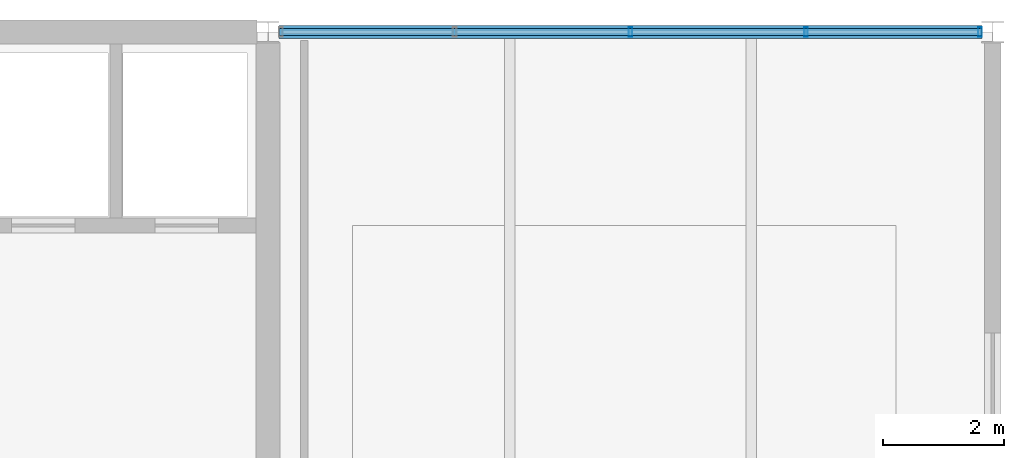
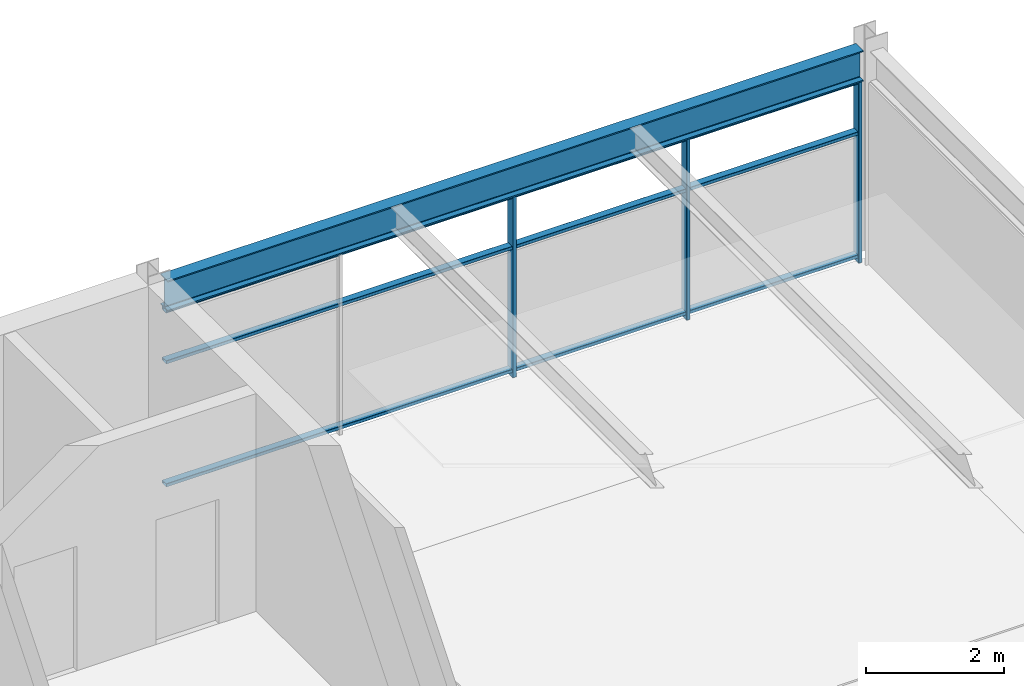
# One storey, part 33 of 40: 6 members, 1 beam, 1 element without a shape of its own.
"""IFC4 building model written with IfcOpenShell, lengths in metres."""

from ifc_helpers import new_model, si_unit, direction, frame, origin, origin_2d, place, context, subcontext, project, spatial, hollow_rectangle, i_section, extrude, material, material_profile, profile_set, type_object, element, aggregate, save


model = new_model("IFC4")

# Units and contexts
model_context = context("Model", 3, precision=1e-05, world=origin(), true_north=direction((0.0, 1.0)))
body_context = subcontext(model_context, "Body", "Model", "MODEL_VIEW")
ifc_project = project(units=[si_unit("LENGTHUNIT", "METRE"), si_unit("AREAUNIT", "SQUARE_METRE"), si_unit("VOLUMEUNIT", "CUBIC_METRE"), si_unit("PLANEANGLEUNIT", "RADIAN"), si_unit("MASSUNIT", "GRAM", prefix="KILO")], contexts=[model_context])

# Site, building, storey
site_placement = place(None, origin())
site = spatial("IfcSite", under=ifc_project, at=site_placement, CompositionType="ELEMENT")
building_placement = place(site_placement, origin())
building = spatial("IfcBuilding", under=site, at=building_placement, Name="Girod Span Mobility Hub", CompositionType="ELEMENT")
storey_placement = place(building_placement, frame((0.0, 0.0, 57.60009765625)))
storey = spatial("IfcBuildingStorey", under=building, at=storey_placement, Name="L14", CompositionType="ELEMENT", Elevation=57.60009765625)

# Beam
ifc_material_1 = material(Name="Steel A992 Grade 50", Category="steel")
ifc_material_profile_1 = material_profile(ifc_material_1, i_section(OverallWidth=0.2119140625, OverallDepth=0.5439453125, WebThickness=0.01318359375, FlangeThickness=0.021240234375, FilletRadius=0.014892578125, at=origin_2d()), Name="W21X83")
ifc_profile_set_1 = profile_set([ifc_material_profile_1], Name="Steel A992 Grade 50")
beam_type = type_object("IfcBeamType", Name="BM-STL-W21X83", PredefinedType="SPANDREL", material=ifc_profile_set_1)
beam_placement = place(storey_placement, frame((120.181396484375, 69.0, 3.48779296875), z_axis=(1.0, 0.0, 0.0), x_axis=(0.0, 1.0, 0.0)))
element("IfcBeam", 1, at=beam_placement, inside=storey, type_object=beam_type, Name="Girder 11-12/F L14", PredefinedType="SPANDREL", context=body_context, shape_type="SweptSolid", body=[
    extrude(i_section(OverallWidth=0.2119140625, OverallDepth=0.5439453125, WebThickness=0.01318359375, FlangeThickness=0.021240234375, FilletRadius=0.014892578125, at=origin_2d()), origin(), (0.0, 0.0, 1.0), 11.63720703125),
])

# Curtain wall, members
ifc_material_2 = material(Name="Thermally Broken Anodised Aluminium", Category="aluminium")
curtain_wall_type = type_object("IfcCurtainWallType", Name="CW-1164X322", PredefinedType="USERDEFINED", material=ifc_material_2)
curtain_wall_placement = place(storey_placement, origin())
curtain_wall = element("IfcCurtainWall", 2, at=curtain_wall_placement, inside=storey, type_object=curtain_wall_type, Name="Unitised Curtain Wall CW-L14-N11 L14", ObjectType="UNITISED CURTAIN WALL", PredefinedType="USERDEFINED")
ifc_material_3 = material(Name="Thermally Broken Anodised Aluminium", Category="aluminium")
ifc_material_profile_2 = material_profile(ifc_material_3, hollow_rectangle(XDim=0.159912109375, YDim=0.06005859375, WallThickness=0.00341796875, InnerFilletRadius=0.00341796875, OuterFilletRadius=0.007080078125, at=origin_2d()), Name="CW-ML-60X160")
ifc_profile_set_2 = profile_set([ifc_material_profile_2], Name="Thermally Broken Anodised Aluminium")
member_type_1 = type_object("IfcMemberType", Name="CWM-ML-3", PredefinedType="MULLION", material=ifc_profile_set_2)
member_1_placement = place(storey_placement, frame((126.0, 69.0, 0.0), z_axis=(0.0, 0.0, 1.0), x_axis=(0.0, 1.0, 0.0)))
member_1 = element("IfcMember", 3, at=member_1_placement, type_object=member_type_1, Name="Curtain Wall Mullion CW-L14-N11-M2", PredefinedType="MULLION", context=body_context, shape_type="SweptSolid", body=[
    extrude(hollow_rectangle(XDim=0.159912109375, YDim=0.06005859375, WallThickness=0.00341796875, InnerFilletRadius=0.00341796875, OuterFilletRadius=0.007080078125, at=origin_2d()), origin(), (0.0, 0.0, 1.0), 3.2158203125),
])
member_2_placement = place(storey_placement, frame((128.90869140625, 69.0, 0.0), z_axis=(0.0, 0.0, 1.0), x_axis=(0.0, 1.0, 0.0)))
member_2 = element("IfcMember", 4, at=member_2_placement, type_object=member_type_1, Name="Curtain Wall Mullion CW-L14-N11-M3", PredefinedType="MULLION", context=body_context, shape_type="SweptSolid", body=[
    extrude(hollow_rectangle(XDim=0.159912109375, YDim=0.06005859375, WallThickness=0.00341796875, InnerFilletRadius=0.00341796875, OuterFilletRadius=0.007080078125, at=origin_2d()), origin(), (0.0, 0.0, 1.0), 3.2158203125),
])
member_3_placement = place(storey_placement, frame((131.785400390625, 69.0, 0.0), z_axis=(0.0, 0.0, 1.0), x_axis=(0.0, 1.0, 0.0)))
member_3 = element("IfcMember", 5, at=member_3_placement, type_object=member_type_1, Name="Curtain Wall Mullion CW-L14-N11-M4", PredefinedType="MULLION", context=body_context, shape_type="SweptSolid", body=[
    extrude(hollow_rectangle(XDim=0.159912109375, YDim=0.06005859375, WallThickness=0.00341796875, InnerFilletRadius=0.00341796875, OuterFilletRadius=0.007080078125, at=origin_2d()), origin(), (0.0, 0.0, 1.0), 3.2158203125),
])
ifc_material_4 = material(Name="Thermally Broken Anodised Aluminium", Category="aluminium")
ifc_material_profile_3 = material_profile(ifc_material_4, hollow_rectangle(XDim=0.1201171875, YDim=0.06005859375, WallThickness=0.00341796875, InnerFilletRadius=0.00341796875, OuterFilletRadius=0.007080078125, at=origin_2d()), Name="CW-TR-60X120")
ifc_profile_set_3 = profile_set([ifc_material_profile_3], Name="Thermally Broken Anodised Aluminium")
member_type_2 = type_object("IfcMemberType", Name="CWM-TR-3", PredefinedType="USERDEFINED", material=ifc_profile_set_3)
member_4_placement = place(storey_placement, frame((120.1826171875, 69.0, 0.10986328125), z_axis=(1.0, 0.0, 0.0), x_axis=(0.0, 1.0, 0.0)))
member_4 = element("IfcMember", 6, at=member_4_placement, type_object=member_type_2, Name="Curtain Wall Transom CW-L14-N11-T1", ObjectType="TRANSOM", PredefinedType="USERDEFINED", context=body_context, shape_type="SweptSolid", body=[
    extrude(hollow_rectangle(XDim=0.1201171875, YDim=0.06005859375, WallThickness=0.00341796875, InnerFilletRadius=0.00341796875, OuterFilletRadius=0.007080078125, at=origin_2d()), origin(), (0.0, 0.0, 1.0), 11.634765625),
])
member_5_placement = place(storey_placement, frame((120.1826171875, 69.0, 2.285400390625), z_axis=(1.0, 0.0, 0.0), x_axis=(0.0, 1.0, 0.0)))
member_5 = element("IfcMember", 7, at=member_5_placement, type_object=member_type_2, Name="Curtain Wall Transom CW-L14-N11-T2", ObjectType="TRANSOM", PredefinedType="USERDEFINED", context=body_context, shape_type="SweptSolid", body=[
    extrude(hollow_rectangle(XDim=0.1201171875, YDim=0.06005859375, WallThickness=0.00341796875, InnerFilletRadius=0.00341796875, OuterFilletRadius=0.007080078125, at=origin_2d()), origin(), (0.0, 0.0, 1.0), 11.634765625),
])
member_6_placement = place(storey_placement, frame((120.1826171875, 69.0, 3.185791015625), z_axis=(1.0, 0.0, 0.0), x_axis=(0.0, 1.0, 0.0)))
member_6 = element("IfcMember", 8, at=member_6_placement, type_object=member_type_2, Name="Curtain Wall Transom CW-L14-N11-T3", ObjectType="TRANSOM", PredefinedType="USERDEFINED", context=body_context, shape_type="SweptSolid", body=[
    extrude(hollow_rectangle(XDim=0.1201171875, YDim=0.06005859375, WallThickness=0.00341796875, InnerFilletRadius=0.00341796875, OuterFilletRadius=0.007080078125, at=origin_2d()), origin(), (0.0, 0.0, 1.0), 11.634765625),
])
aggregate(curtain_wall, [member_1, member_2, member_3, member_4, member_5, member_6])

save(model, "model.ifc")
